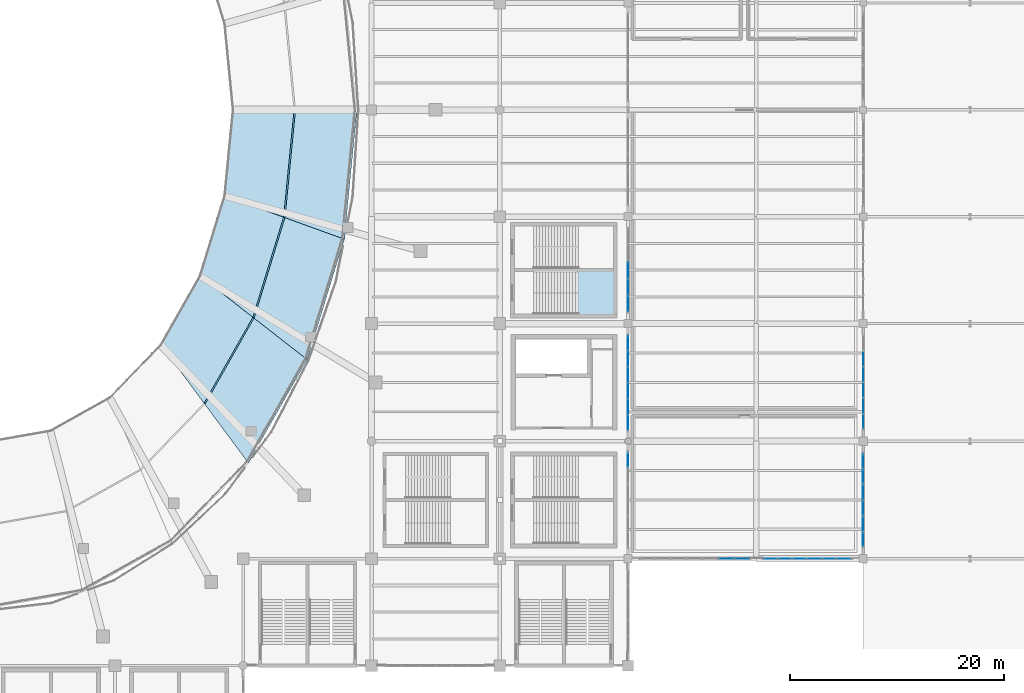
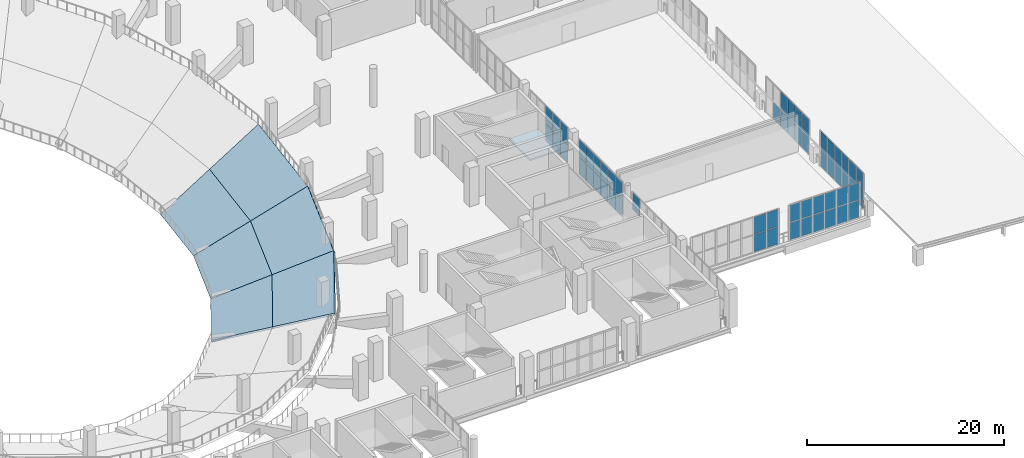
# One storey, part 101 of 136: 56 plates, 7 slabs, 8 elements without a shape of their own.
"""IFC4 building model written with IfcOpenShell, lengths in metres."""

from ifc_helpers import new_model, si_unit, direction, frame, origin, origin_2d, place, context, subcontext, project, spatial, polyline, rectangle, outline, extrude, material, layer, layer_set, type_object, element, aggregate, save


model = new_model("IFC4")

# Units and contexts
model_context = context("Model", 3, precision=1e-05, world=origin(), true_north=direction((0.0, 1.0)))
body_context = subcontext(model_context, "Body", "Model", "MODEL_VIEW")
ifc_project = project(units=[si_unit("LENGTHUNIT", "METRE"), si_unit("AREAUNIT", "SQUARE_METRE"), si_unit("VOLUMEUNIT", "CUBIC_METRE"), si_unit("PLANEANGLEUNIT", "RADIAN"), si_unit("MASSUNIT", "GRAM", prefix="KILO")], contexts=[model_context])

# Site, building, storey
site_placement = place(None, origin())
site = spatial("IfcSite", under=ifc_project, at=site_placement, CompositionType="ELEMENT")
building_placement = place(site_placement, origin())
building = spatial("IfcBuilding", under=site, at=building_placement, Name="Brinegate Civic Arena", CompositionType="ELEMENT")
storey_placement = place(building_placement, frame((0.0, 0.0, 5.39990234375)))
storey = spatial("IfcBuildingStorey", under=building, at=storey_placement, Name="L01", CompositionType="ELEMENT", Elevation=5.39990234375)

# Curtain wall, plates
ifc_material_1 = material(Name="Marine grade aluminium", Category="aluminium")
ifc_layer_1 = layer(ifc_material_1, 0.18505859375, Name="Marine grade aluminium")
ifc_layer_set_1 = layer_set([ifc_layer_1], Name="Marine grade aluminium")
curtain_wall_type_1 = type_object("IfcCurtainWallType", Name="CW-WING-GLAZED-03", PredefinedType="USERDEFINED", material=ifc_layer_set_1)
curtain_wall_1_placement = place(storey_placement, origin())
curtain_wall_1 = element("IfcCurtainWall", 1, at=curtain_wall_1_placement, inside=storey, type_object=curtain_wall_type_1, Name="Curtain Wall CWA-034", ObjectType="GLAZED CURTAIN WALL", PredefinedType="USERDEFINED")
ifc_material_2 = material(Name="Hurricane laminated low-E glass", Category="glass")
ifc_layer_2 = layer(ifc_material_2, 0.028076171875, Name="Hurricane laminated low-E glass")
ifc_layer_set_2 = layer_set([ifc_layer_2], Name="Hurricane laminated low-E glass")
plate_type_1 = type_object("IfcPlateType", Name="CW-PANEL-GLAZED-28", PredefinedType="CURTAIN_PANEL", material=ifc_layer_set_2)
plate_1_placement = place(storey_placement, frame((190.0, 32.865966796875, 0.06494140625), z_axis=(0.0, 0.0, 1.0), x_axis=(0.0, 1.0, 0.0)))
plate_1 = element("IfcPlate", 2, at=plate_1_placement, type_object=plate_type_1, Name="CWA-034 panel 1.1", PredefinedType="CURTAIN_PANEL", context=body_context, shape_type="SweptSolid", body=[
    extrude(rectangle(XDim=1.369873046875, YDim=0.028076171875, at=origin_2d()), origin(), (0.0, 0.0, 1.0), 2.137451171875),
])
plate_2_placement = place(storey_placement, frame((190.0, 32.865966796875, 2.267578125), z_axis=(0.0, 0.0, 1.0), x_axis=(0.0, 1.0, 0.0)))
plate_2 = element("IfcPlate", 3, at=plate_2_placement, type_object=plate_type_1, Name="CWA-034 panel 1.2", PredefinedType="CURTAIN_PANEL", context=body_context, shape_type="SweptSolid", body=[
    extrude(rectangle(XDim=1.369873046875, YDim=0.028076171875, at=origin_2d()), origin(), (0.0, 0.0, 1.0), 2.137451171875),
])
plate_3_placement = place(storey_placement, frame((190.0, 34.31689453125, 0.06494140625), z_axis=(0.0, 0.0, 1.0), x_axis=(0.0, 1.0, 0.0)))
plate_3 = element("IfcPlate", 4, at=plate_3_placement, type_object=plate_type_1, Name="CWA-034 panel 2.1", PredefinedType="CURTAIN_PANEL", context=body_context, shape_type="SweptSolid", body=[
    extrude(rectangle(XDim=1.40234375, YDim=0.028076171875, at=origin_2d()), origin(), (0.0, 0.0, 1.0), 2.137451171875),
])
plate_4_placement = place(storey_placement, frame((190.0, 34.31689453125, 2.267578125), z_axis=(0.0, 0.0, 1.0), x_axis=(0.0, 1.0, 0.0)))
plate_4 = element("IfcPlate", 5, at=plate_4_placement, type_object=plate_type_1, Name="CWA-034 panel 2.2", PredefinedType="CURTAIN_PANEL", context=body_context, shape_type="SweptSolid", body=[
    extrude(rectangle(XDim=1.40234375, YDim=0.028076171875, at=origin_2d()), origin(), (0.0, 0.0, 1.0), 2.137451171875),
])
plate_5_placement = place(storey_placement, frame((190.0, 35.784423828125, 0.06494140625), z_axis=(0.0, 0.0, 1.0), x_axis=(0.0, 1.0, 0.0)))
plate_5 = element("IfcPlate", 6, at=plate_5_placement, type_object=plate_type_1, Name="CWA-034 panel 3.1", PredefinedType="CURTAIN_PANEL", context=body_context, shape_type="SweptSolid", body=[
    extrude(rectangle(XDim=1.40234375, YDim=0.028076171875, at=origin_2d()), origin(), (0.0, 0.0, 1.0), 2.137451171875),
])
plate_6_placement = place(storey_placement, frame((190.0, 35.784423828125, 2.267578125), z_axis=(0.0, 0.0, 1.0), x_axis=(0.0, 1.0, 0.0)))
plate_6 = element("IfcPlate", 7, at=plate_6_placement, type_object=plate_type_1, Name="CWA-034 panel 3.2", PredefinedType="CURTAIN_PANEL", context=body_context, shape_type="SweptSolid", body=[
    extrude(rectangle(XDim=1.40234375, YDim=0.028076171875, at=origin_2d()), origin(), (0.0, 0.0, 1.0), 2.137451171875),
])
plate_7_placement = place(storey_placement, frame((190.0, 37.251708984375, 0.06494140625), z_axis=(0.0, 0.0, 1.0), x_axis=(0.0, 1.0, 0.0)))
plate_7 = element("IfcPlate", 8, at=plate_7_placement, type_object=plate_type_1, Name="CWA-034 panel 4.1", PredefinedType="CURTAIN_PANEL", context=body_context, shape_type="SweptSolid", body=[
    extrude(rectangle(XDim=1.40234375, YDim=0.028076171875, at=origin_2d()), origin(), (0.0, 0.0, 1.0), 2.137451171875),
])
plate_8_placement = place(storey_placement, frame((190.0, 37.251708984375, 2.267578125), z_axis=(0.0, 0.0, 1.0), x_axis=(0.0, 1.0, 0.0)))
plate_8 = element("IfcPlate", 9, at=plate_8_placement, type_object=plate_type_1, Name="CWA-034 panel 4.2", PredefinedType="CURTAIN_PANEL", context=body_context, shape_type="SweptSolid", body=[
    extrude(rectangle(XDim=1.40234375, YDim=0.028076171875, at=origin_2d()), origin(), (0.0, 0.0, 1.0), 2.137451171875),
])
plate_9_placement = place(storey_placement, frame((190.0, 38.718994140625, 0.06494140625), z_axis=(0.0, 0.0, 1.0), x_axis=(0.0, 1.0, 0.0)))
plate_9 = element("IfcPlate", 10, at=plate_9_placement, type_object=plate_type_1, Name="CWA-034 panel 5.1", PredefinedType="CURTAIN_PANEL", context=body_context, shape_type="SweptSolid", body=[
    extrude(rectangle(XDim=1.40234375, YDim=0.028076171875, at=origin_2d()), origin(), (0.0, 0.0, 1.0), 2.137451171875),
])
aggregate(curtain_wall_1, [plate_1, plate_2, plate_3, plate_4, plate_5, plate_6, plate_7, plate_8, plate_9])

curtain_wall_2_placement = place(storey_placement, origin())
curtain_wall_2 = element("IfcCurtainWall", 11, at=curtain_wall_2_placement, inside=storey, type_object=curtain_wall_type_1, Name="Curtain Wall CWA-039", ObjectType="GLAZED CURTAIN WALL", PredefinedType="USERDEFINED")
ifc_layer_3 = layer(ifc_material_2, 0.031982421875, Name="Hurricane laminated low-E glass")
ifc_layer_set_3 = layer_set([ifc_layer_3], Name="Hurricane laminated low-E glass")
plate_type_2 = type_object("IfcPlateType", Name="CW-PANEL-GLAZED-32", PredefinedType="CURTAIN_PANEL", material=ifc_layer_set_3)
plate_10_placement = place(storey_placement, frame((177.1884765625, 20.0, 0.06494140625), z_axis=(0.0, 0.0, 1.0), x_axis=(1.0, 0.0, 0.0)))
plate_10 = element("IfcPlate", 12, at=plate_10_placement, type_object=plate_type_2, Name="CWA-039 panel 6.1", PredefinedType="CURTAIN_PANEL", context=body_context, shape_type="SweptSolid", body=[
    extrude(rectangle(XDim=1.4091796875, YDim=0.031982421875, at=origin_2d()), origin(), (0.0, 0.0, 1.0), 2.137451171875),
])
plate_11_placement = place(storey_placement, frame((177.1884765625, 20.0, 2.267578125), z_axis=(0.0, 0.0, 1.0), x_axis=(1.0, 0.0, 0.0)))
plate_11 = element("IfcPlate", 13, at=plate_11_placement, type_object=plate_type_2, Name="CWA-039 panel 6.2", PredefinedType="CURTAIN_PANEL", context=body_context, shape_type="SweptSolid", body=[
    extrude(rectangle(XDim=1.4091796875, YDim=0.031982421875, at=origin_2d()), origin(), (0.0, 0.0, 1.0), 2.137451171875),
])
plate_12_placement = place(storey_placement, frame((178.646728515625, 20.0, 0.06494140625), z_axis=(0.0, 0.0, 1.0), x_axis=(1.0, 0.0, 0.0)))
plate_12 = element("IfcPlate", 14, at=plate_12_placement, type_object=plate_type_2, Name="CWA-039 panel 7.1", PredefinedType="CURTAIN_PANEL", context=body_context, shape_type="SweptSolid", body=[
    extrude(rectangle(XDim=1.376708984375, YDim=0.031982421875, at=origin_2d()), origin(), (0.0, 0.0, 1.0), 2.137451171875),
])
plate_13_placement = place(storey_placement, frame((178.646728515625, 20.0, 2.267578125), z_axis=(0.0, 0.0, 1.0), x_axis=(1.0, 0.0, 0.0)))
plate_13 = element("IfcPlate", 15, at=plate_13_placement, type_object=plate_type_2, Name="CWA-039 panel 7.2", PredefinedType="CURTAIN_PANEL", context=body_context, shape_type="SweptSolid", body=[
    extrude(rectangle(XDim=1.376708984375, YDim=0.031982421875, at=origin_2d()), origin(), (0.0, 0.0, 1.0), 2.137451171875),
])
aggregate(curtain_wall_2, [plate_10, plate_11, plate_12, plate_13])

ifc_layer_4 = layer(ifc_material_1, 0.199951171875, Name="Marine grade aluminium")
ifc_layer_set_4 = layer_set([ifc_layer_4], Name="Marine grade aluminium")
curtain_wall_type_2 = type_object("IfcCurtainWallType", Name="CW-BOWL-GLAZED-01", PredefinedType="USERDEFINED", material=ifc_layer_set_4)
curtain_wall_3_placement = place(storey_placement, origin())
curtain_wall_3 = element("IfcCurtainWall", 16, at=curtain_wall_3_placement, inside=storey, type_object=curtain_wall_type_2, Name="Curtain Wall CWA-047", ObjectType="GLAZED CURTAIN WALL", PredefinedType="USERDEFINED")
plate_14_placement = place(storey_placement, frame((168.0, 32.7421875, 0.074951171875), z_axis=(0.0, 0.0, 1.0), x_axis=(0.0, 1.0, 0.0)))
plate_14 = element("IfcPlate", 17, at=plate_14_placement, type_object=plate_type_2, Name="CWA-047 panel 1.1", PredefinedType="CURTAIN_PANEL", context=body_context, shape_type="SweptSolid", body=[
    extrude(rectangle(XDim=1.392333984375, YDim=0.031982421875, at=origin_2d()), origin(), (0.0, 0.0, 1.0), 2.12255859375),
])
plate_15_placement = place(storey_placement, frame((168.0, 32.7421875, 2.2724609375), z_axis=(0.0, 0.0, 1.0), x_axis=(0.0, 1.0, 0.0)))
plate_15 = element("IfcPlate", 18, at=plate_15_placement, type_object=plate_type_2, Name="CWA-047 panel 1.2", PredefinedType="CURTAIN_PANEL", context=body_context, shape_type="SweptSolid", body=[
    extrude(rectangle(XDim=1.392333984375, YDim=0.031982421875, at=origin_2d()), origin(), (0.0, 0.0, 1.0), 2.12255859375),
])
plate_16_placement = place(storey_placement, frame((168.0, 34.2158203125, 0.074951171875), z_axis=(0.0, 0.0, 1.0), x_axis=(0.0, 1.0, 0.0)))
plate_16 = element("IfcPlate", 19, at=plate_16_placement, type_object=plate_type_2, Name="CWA-047 panel 2.1", PredefinedType="CURTAIN_PANEL", context=body_context, shape_type="SweptSolid", body=[
    extrude(rectangle(XDim=1.4248046875, YDim=0.031982421875, at=origin_2d()), origin(), (0.0, 0.0, 1.0), 2.12255859375),
])
plate_17_placement = place(storey_placement, frame((168.0, 34.2158203125, 2.2724609375), z_axis=(0.0, 0.0, 1.0), x_axis=(0.0, 1.0, 0.0)))
plate_17 = element("IfcPlate", 20, at=plate_17_placement, type_object=plate_type_2, Name="CWA-047 panel 2.2", PredefinedType="CURTAIN_PANEL", context=body_context, shape_type="SweptSolid", body=[
    extrude(rectangle(XDim=1.4248046875, YDim=0.031982421875, at=origin_2d()), origin(), (0.0, 0.0, 1.0), 2.12255859375),
])
plate_18_placement = place(storey_placement, frame((168.0, 35.70556640625, 0.074951171875), z_axis=(0.0, 0.0, 1.0), x_axis=(0.0, 1.0, 0.0)))
plate_18 = element("IfcPlate", 21, at=plate_18_placement, type_object=plate_type_2, Name="CWA-047 panel 3.1", PredefinedType="CURTAIN_PANEL", context=body_context, shape_type="SweptSolid", body=[
    extrude(rectangle(XDim=1.4248046875, YDim=0.031982421875, at=origin_2d()), origin(), (0.0, 0.0, 1.0), 2.12255859375),
])
plate_19_placement = place(storey_placement, frame((168.0, 35.70556640625, 2.2724609375), z_axis=(0.0, 0.0, 1.0), x_axis=(0.0, 1.0, 0.0)))
plate_19 = element("IfcPlate", 22, at=plate_19_placement, type_object=plate_type_2, Name="CWA-047 panel 3.2", PredefinedType="CURTAIN_PANEL", context=body_context, shape_type="SweptSolid", body=[
    extrude(rectangle(XDim=1.4248046875, YDim=0.031982421875, at=origin_2d()), origin(), (0.0, 0.0, 1.0), 2.12255859375),
])
plate_20_placement = place(storey_placement, frame((168.0, 37.1953125, 0.074951171875), z_axis=(0.0, 0.0, 1.0), x_axis=(0.0, 1.0, 0.0)))
plate_20 = element("IfcPlate", 23, at=plate_20_placement, type_object=plate_type_2, Name="CWA-047 panel 4.1", PredefinedType="CURTAIN_PANEL", context=body_context, shape_type="SweptSolid", body=[
    extrude(rectangle(XDim=1.4248046875, YDim=0.031982421875, at=origin_2d()), origin(), (0.0, 0.0, 1.0), 2.12255859375),
])
plate_21_placement = place(storey_placement, frame((168.0, 37.1953125, 2.2724609375), z_axis=(0.0, 0.0, 1.0), x_axis=(0.0, 1.0, 0.0)))
plate_21 = element("IfcPlate", 24, at=plate_21_placement, type_object=plate_type_2, Name="CWA-047 panel 4.2", PredefinedType="CURTAIN_PANEL", context=body_context, shape_type="SweptSolid", body=[
    extrude(rectangle(XDim=1.4248046875, YDim=0.031982421875, at=origin_2d()), origin(), (0.0, 0.0, 1.0), 2.12255859375),
])
plate_22_placement = place(storey_placement, frame((168.0, 38.685302734375, 0.074951171875), z_axis=(0.0, 0.0, 1.0), x_axis=(0.0, 1.0, 0.0)))
plate_22 = element("IfcPlate", 25, at=plate_22_placement, type_object=plate_type_2, Name="CWA-047 panel 5.1", PredefinedType="CURTAIN_PANEL", context=body_context, shape_type="SweptSolid", body=[
    extrude(rectangle(XDim=1.4248046875, YDim=0.031982421875, at=origin_2d()), origin(), (0.0, 0.0, 1.0), 2.12255859375),
])
plate_23_placement = place(storey_placement, frame((168.0, 38.685302734375, 2.2724609375), z_axis=(0.0, 0.0, 1.0), x_axis=(0.0, 1.0, 0.0)))
plate_23 = element("IfcPlate", 26, at=plate_23_placement, type_object=plate_type_2, Name="CWA-047 panel 5.2", PredefinedType="CURTAIN_PANEL", context=body_context, shape_type="SweptSolid", body=[
    extrude(rectangle(XDim=1.4248046875, YDim=0.031982421875, at=origin_2d()), origin(), (0.0, 0.0, 1.0), 2.12255859375),
])
plate_24_placement = place(storey_placement, frame((168.0, 40.158935546875, 0.074951171875), z_axis=(0.0, 0.0, 1.0), x_axis=(0.0, 1.0, 0.0)))
plate_24 = element("IfcPlate", 27, at=plate_24_placement, type_object=plate_type_2, Name="CWA-047 panel 6.1", PredefinedType="CURTAIN_PANEL", context=body_context, shape_type="SweptSolid", body=[
    extrude(rectangle(XDim=1.392333984375, YDim=0.031982421875, at=origin_2d()), origin(), (0.0, 0.0, 1.0), 2.12255859375),
])
plate_25_placement = place(storey_placement, frame((168.0, 40.158935546875, 2.2724609375), z_axis=(0.0, 0.0, 1.0), x_axis=(0.0, 1.0, 0.0)))
plate_25 = element("IfcPlate", 28, at=plate_25_placement, type_object=plate_type_2, Name="CWA-047 panel 6.2", PredefinedType="CURTAIN_PANEL", context=body_context, shape_type="SweptSolid", body=[
    extrude(rectangle(XDim=1.392333984375, YDim=0.031982421875, at=origin_2d()), origin(), (0.0, 0.0, 1.0), 2.12255859375),
])
aggregate(curtain_wall_3, [plate_14, plate_15, plate_16, plate_17, plate_18, plate_19, plate_20, plate_21, plate_22, plate_23, plate_24, plate_25])

curtain_wall_4_placement = place(storey_placement, origin())
curtain_wall_4 = element("IfcCurtainWall", 29, at=curtain_wall_4_placement, inside=storey, type_object=curtain_wall_type_1, Name="Curtain Wall CWA-033", ObjectType="GLAZED CURTAIN WALL", PredefinedType="USERDEFINED")
ifc_layer_5 = layer(ifc_material_2, 0.0419921875, Name="Hurricane laminated low-E glass")
ifc_layer_set_5 = layer_set([ifc_layer_5], Name="Hurricane laminated low-E glass")
plate_type_3 = type_object("IfcPlateType", Name="CW-PANEL-SPANDREL-42", PredefinedType="CURTAIN_PANEL", material=ifc_layer_set_5)
plate_26_placement = place(storey_placement, frame((190.0, 21.833740234375, 0.06494140625), z_axis=(0.0, 0.0, 1.0), x_axis=(0.0, 1.0, 0.0)))
plate_26 = element("IfcPlate", 30, at=plate_26_placement, type_object=plate_type_3, Name="CWA-033 panel 1.1", PredefinedType="CURTAIN_PANEL", context=body_context, shape_type="SweptSolid", body=[
    extrude(rectangle(XDim=1.347412109375, YDim=0.0419921875, at=origin_2d()), origin(), (0.0, 0.0, 1.0), 2.137451171875),
])
plate_27_placement = place(storey_placement, frame((190.0, 21.833740234375, 2.267578125), z_axis=(0.0, 0.0, 1.0), x_axis=(0.0, 1.0, 0.0)))
plate_27 = element("IfcPlate", 31, at=plate_27_placement, type_object=plate_type_3, Name="CWA-033 panel 1.2", PredefinedType="CURTAIN_PANEL", context=body_context, shape_type="SweptSolid", body=[
    extrude(rectangle(XDim=1.347412109375, YDim=0.0419921875, at=origin_2d()), origin(), (0.0, 0.0, 1.0), 2.137451171875),
])
plate_28_placement = place(storey_placement, frame((190.0, 23.281005859375, 0.06494140625), z_axis=(0.0, 0.0, 1.0), x_axis=(0.0, 1.0, 0.0)))
plate_28 = element("IfcPlate", 32, at=plate_28_placement, type_object=plate_type_3, Name="CWA-033 panel 2.1", PredefinedType="CURTAIN_PANEL", context=body_context, shape_type="SweptSolid", body=[
    extrude(rectangle(XDim=1.387451171875, YDim=0.0419921875, at=origin_2d()), origin(), (0.0, 0.0, 1.0), 2.137451171875),
])
plate_29_placement = place(storey_placement, frame((190.0, 23.281005859375, 2.267578125), z_axis=(0.0, 0.0, 1.0), x_axis=(0.0, 1.0, 0.0)))
plate_29 = element("IfcPlate", 33, at=plate_29_placement, type_object=plate_type_3, Name="CWA-033 panel 2.2", PredefinedType="CURTAIN_PANEL", context=body_context, shape_type="SweptSolid", body=[
    extrude(rectangle(XDim=1.387451171875, YDim=0.0419921875, at=origin_2d()), origin(), (0.0, 0.0, 1.0), 2.137451171875),
])
plate_30_placement = place(storey_placement, frame((190.0, 24.748291015625, 0.06494140625), z_axis=(0.0, 0.0, 1.0), x_axis=(0.0, 1.0, 0.0)))
plate_30 = element("IfcPlate", 34, at=plate_30_placement, type_object=plate_type_3, Name="CWA-033 panel 3.1", PredefinedType="CURTAIN_PANEL", context=body_context, shape_type="SweptSolid", body=[
    extrude(rectangle(XDim=1.387451171875, YDim=0.0419921875, at=origin_2d()), origin(), (0.0, 0.0, 1.0), 2.137451171875),
])
plate_31_placement = place(storey_placement, frame((190.0, 24.748291015625, 2.267578125), z_axis=(0.0, 0.0, 1.0), x_axis=(0.0, 1.0, 0.0)))
plate_31 = element("IfcPlate", 35, at=plate_31_placement, type_object=plate_type_3, Name="CWA-033 panel 3.2", PredefinedType="CURTAIN_PANEL", context=body_context, shape_type="SweptSolid", body=[
    extrude(rectangle(XDim=1.387451171875, YDim=0.0419921875, at=origin_2d()), origin(), (0.0, 0.0, 1.0), 2.137451171875),
])
plate_32_placement = place(storey_placement, frame((190.0, 26.215576171875, 0.06494140625), z_axis=(0.0, 0.0, 1.0), x_axis=(0.0, 1.0, 0.0)))
plate_32 = element("IfcPlate", 36, at=plate_32_placement, type_object=plate_type_3, Name="CWA-033 panel 4.1", PredefinedType="CURTAIN_PANEL", context=body_context, shape_type="SweptSolid", body=[
    extrude(rectangle(XDim=1.387451171875, YDim=0.0419921875, at=origin_2d()), origin(), (0.0, 0.0, 1.0), 2.137451171875),
])
plate_33_placement = place(storey_placement, frame((190.0, 26.215576171875, 2.267578125), z_axis=(0.0, 0.0, 1.0), x_axis=(0.0, 1.0, 0.0)))
plate_33 = element("IfcPlate", 37, at=plate_33_placement, type_object=plate_type_3, Name="CWA-033 panel 4.2", PredefinedType="CURTAIN_PANEL", context=body_context, shape_type="SweptSolid", body=[
    extrude(rectangle(XDim=1.387451171875, YDim=0.0419921875, at=origin_2d()), origin(), (0.0, 0.0, 1.0), 2.137451171875),
])
plate_34_placement = place(storey_placement, frame((190.0, 27.68310546875, 0.06494140625), z_axis=(0.0, 0.0, 1.0), x_axis=(0.0, 1.0, 0.0)))
plate_34 = element("IfcPlate", 38, at=plate_34_placement, type_object=plate_type_3, Name="CWA-033 panel 5.1", PredefinedType="CURTAIN_PANEL", context=body_context, shape_type="SweptSolid", body=[
    extrude(rectangle(XDim=1.387451171875, YDim=0.0419921875, at=origin_2d()), origin(), (0.0, 0.0, 1.0), 2.137451171875),
])
plate_35_placement = place(storey_placement, frame((190.0, 27.68310546875, 2.267578125), z_axis=(0.0, 0.0, 1.0), x_axis=(0.0, 1.0, 0.0)))
plate_35 = element("IfcPlate", 39, at=plate_35_placement, type_object=plate_type_3, Name="CWA-033 panel 5.2", PredefinedType="CURTAIN_PANEL", context=body_context, shape_type="SweptSolid", body=[
    extrude(rectangle(XDim=1.387451171875, YDim=0.0419921875, at=origin_2d()), origin(), (0.0, 0.0, 1.0), 2.137451171875),
])
plate_36_placement = place(storey_placement, frame((190.0, 29.13037109375, 0.06494140625), z_axis=(0.0, 0.0, 1.0), x_axis=(0.0, 1.0, 0.0)))
plate_36 = element("IfcPlate", 40, at=plate_36_placement, type_object=plate_type_3, Name="CWA-033 panel 6.1", PredefinedType="CURTAIN_PANEL", context=body_context, shape_type="SweptSolid", body=[
    extrude(rectangle(XDim=1.347412109375, YDim=0.0419921875, at=origin_2d()), origin(), (0.0, 0.0, 1.0), 2.137451171875),
])
plate_37_placement = place(storey_placement, frame((190.0, 29.13037109375, 2.267578125), z_axis=(0.0, 0.0, 1.0), x_axis=(0.0, 1.0, 0.0)))
plate_37 = element("IfcPlate", 41, at=plate_37_placement, type_object=plate_type_3, Name="CWA-033 panel 6.2", PredefinedType="CURTAIN_PANEL", context=body_context, shape_type="SweptSolid", body=[
    extrude(rectangle(XDim=1.347412109375, YDim=0.0419921875, at=origin_2d()), origin(), (0.0, 0.0, 1.0), 2.137451171875),
])
aggregate(curtain_wall_4, [plate_26, plate_27, plate_28, plate_29, plate_30, plate_31, plate_32, plate_33, plate_34, plate_35, plate_36, plate_37])

curtain_wall_5_placement = place(storey_placement, origin())
curtain_wall_5 = element("IfcCurtainWall", 42, at=curtain_wall_5_placement, inside=storey, type_object=curtain_wall_type_1, Name="Curtain Wall CWA-041", ObjectType="GLAZED CURTAIN WALL", PredefinedType="USERDEFINED")
plate_38_placement = place(storey_placement, frame((181.313232421875, 20.0, 0.074951171875), z_axis=(0.0, 0.0, 1.0), x_axis=(1.0, 0.0, 0.0)))
plate_38 = element("IfcPlate", 43, at=plate_38_placement, type_object=plate_type_3, Name="CWA-041 panel 1.1", PredefinedType="CURTAIN_PANEL", context=body_context, shape_type="SweptSolid", body=[
    extrude(rectangle(XDim=1.2666015625, YDim=0.0419921875, at=origin_2d()), origin(), (0.0, 0.0, 1.0), 2.12255859375),
])
plate_39_placement = place(storey_placement, frame((181.313232421875, 20.0, 2.2724609375), z_axis=(0.0, 0.0, 1.0), x_axis=(1.0, 0.0, 0.0)))
plate_39 = element("IfcPlate", 44, at=plate_39_placement, type_object=plate_type_3, Name="CWA-041 panel 1.2", PredefinedType="CURTAIN_PANEL", context=body_context, shape_type="SweptSolid", body=[
    extrude(rectangle(XDim=1.2666015625, YDim=0.0419921875, at=origin_2d()), origin(), (0.0, 0.0, 1.0), 2.12255859375),
])
plate_40_placement = place(storey_placement, frame((182.679931640625, 20.0, 0.074951171875), z_axis=(0.0, 0.0, 1.0), x_axis=(1.0, 0.0, 0.0)))
plate_40 = element("IfcPlate", 45, at=plate_40_placement, type_object=plate_type_3, Name="CWA-041 panel 2.1", PredefinedType="CURTAIN_PANEL", context=body_context, shape_type="SweptSolid", body=[
    extrude(rectangle(XDim=1.306640625, YDim=0.0419921875, at=origin_2d()), origin(), (0.0, 0.0, 1.0), 2.12255859375),
])
plate_41_placement = place(storey_placement, frame((182.679931640625, 20.0, 2.2724609375), z_axis=(0.0, 0.0, 1.0), x_axis=(1.0, 0.0, 0.0)))
plate_41 = element("IfcPlate", 46, at=plate_41_placement, type_object=plate_type_3, Name="CWA-041 panel 2.2", PredefinedType="CURTAIN_PANEL", context=body_context, shape_type="SweptSolid", body=[
    extrude(rectangle(XDim=1.306640625, YDim=0.0419921875, at=origin_2d()), origin(), (0.0, 0.0, 1.0), 2.12255859375),
])
plate_42_placement = place(storey_placement, frame((184.066650390625, 20.0, 0.074951171875), z_axis=(0.0, 0.0, 1.0), x_axis=(1.0, 0.0, 0.0)))
plate_42 = element("IfcPlate", 47, at=plate_42_placement, type_object=plate_type_3, Name="CWA-041 panel 3.1", PredefinedType="CURTAIN_PANEL", context=body_context, shape_type="SweptSolid", body=[
    extrude(rectangle(XDim=1.306640625, YDim=0.0419921875, at=origin_2d()), origin(), (0.0, 0.0, 1.0), 2.12255859375),
])
plate_43_placement = place(storey_placement, frame((184.066650390625, 20.0, 2.2724609375), z_axis=(0.0, 0.0, 1.0), x_axis=(1.0, 0.0, 0.0)))
plate_43 = element("IfcPlate", 48, at=plate_43_placement, type_object=plate_type_3, Name="CWA-041 panel 3.2", PredefinedType="CURTAIN_PANEL", context=body_context, shape_type="SweptSolid", body=[
    extrude(rectangle(XDim=1.306640625, YDim=0.0419921875, at=origin_2d()), origin(), (0.0, 0.0, 1.0), 2.12255859375),
])
plate_44_placement = place(storey_placement, frame((185.453369140625, 20.0, 0.074951171875), z_axis=(0.0, 0.0, 1.0), x_axis=(1.0, 0.0, 0.0)))
plate_44 = element("IfcPlate", 49, at=plate_44_placement, type_object=plate_type_3, Name="CWA-041 panel 4.1", PredefinedType="CURTAIN_PANEL", context=body_context, shape_type="SweptSolid", body=[
    extrude(rectangle(XDim=1.306640625, YDim=0.0419921875, at=origin_2d()), origin(), (0.0, 0.0, 1.0), 2.12255859375),
])
plate_45_placement = place(storey_placement, frame((185.453369140625, 20.0, 2.2724609375), z_axis=(0.0, 0.0, 1.0), x_axis=(1.0, 0.0, 0.0)))
plate_45 = element("IfcPlate", 50, at=plate_45_placement, type_object=plate_type_3, Name="CWA-041 panel 4.2", PredefinedType="CURTAIN_PANEL", context=body_context, shape_type="SweptSolid", body=[
    extrude(rectangle(XDim=1.306640625, YDim=0.0419921875, at=origin_2d()), origin(), (0.0, 0.0, 1.0), 2.12255859375),
])
plate_46_placement = place(storey_placement, frame((186.840087890625, 20.0, 0.074951171875), z_axis=(0.0, 0.0, 1.0), x_axis=(1.0, 0.0, 0.0)))
plate_46 = element("IfcPlate", 51, at=plate_46_placement, type_object=plate_type_3, Name="CWA-041 panel 5.1", PredefinedType="CURTAIN_PANEL", context=body_context, shape_type="SweptSolid", body=[
    extrude(rectangle(XDim=1.306640625, YDim=0.0419921875, at=origin_2d()), origin(), (0.0, 0.0, 1.0), 2.12255859375),
])
plate_47_placement = place(storey_placement, frame((186.840087890625, 20.0, 2.2724609375), z_axis=(0.0, 0.0, 1.0), x_axis=(1.0, 0.0, 0.0)))
plate_47 = element("IfcPlate", 52, at=plate_47_placement, type_object=plate_type_3, Name="CWA-041 panel 5.2", PredefinedType="CURTAIN_PANEL", context=body_context, shape_type="SweptSolid", body=[
    extrude(rectangle(XDim=1.306640625, YDim=0.0419921875, at=origin_2d()), origin(), (0.0, 0.0, 1.0), 2.12255859375),
])
plate_48_placement = place(storey_placement, frame((188.206787109375, 20.0, 0.074951171875), z_axis=(0.0, 0.0, 1.0), x_axis=(1.0, 0.0, 0.0)))
plate_48 = element("IfcPlate", 53, at=plate_48_placement, type_object=plate_type_3, Name="CWA-041 panel 6.1", PredefinedType="CURTAIN_PANEL", context=body_context, shape_type="SweptSolid", body=[
    extrude(rectangle(XDim=1.2666015625, YDim=0.0419921875, at=origin_2d()), origin(), (0.0, 0.0, 1.0), 2.12255859375),
])
plate_49_placement = place(storey_placement, frame((188.206787109375, 20.0, 2.2724609375), z_axis=(0.0, 0.0, 1.0), x_axis=(1.0, 0.0, 0.0)))
plate_49 = element("IfcPlate", 54, at=plate_49_placement, type_object=plate_type_3, Name="CWA-041 panel 6.2", PredefinedType="CURTAIN_PANEL", context=body_context, shape_type="SweptSolid", body=[
    extrude(rectangle(XDim=1.2666015625, YDim=0.0419921875, at=origin_2d()), origin(), (0.0, 0.0, 1.0), 2.12255859375),
])
aggregate(curtain_wall_5, [plate_38, plate_39, plate_40, plate_41, plate_42, plate_43, plate_44, plate_45, plate_46, plate_47, plate_48, plate_49])

# Curtain wall, plate
curtain_wall_6_placement = place(storey_placement, origin())
curtain_wall_6 = element("IfcCurtainWall", 55, at=curtain_wall_6_placement, inside=storey, type_object=curtain_wall_type_2, Name="Curtain Wall CWA-045", ObjectType="GLAZED CURTAIN WALL", PredefinedType="USERDEFINED")
plate_50_placement = place(storey_placement, frame((168.0, 29.254150390625, 2.267578125), z_axis=(0.0, 0.0, 1.0), x_axis=(0.0, 1.0, 0.0)))
plate_50 = element("IfcPlate", 56, at=plate_50_placement, type_object=plate_type_3, Name="CWA-045 panel 6.2", PredefinedType="CURTAIN_PANEL", context=body_context, shape_type="SweptSolid", body=[
    extrude(rectangle(XDim=1.369873046875, YDim=0.0419921875, at=origin_2d()), origin(), (0.0, 0.0, 1.0), 2.137451171875),
])
aggregate(curtain_wall_6, [plate_50])

# Curtain wall, plates
curtain_wall_7_placement = place(storey_placement, origin())
curtain_wall_7 = element("IfcCurtainWall", 57, at=curtain_wall_7_placement, inside=storey, type_object=curtain_wall_type_2, Name="Curtain Wall CWA-049", ObjectType="GLAZED CURTAIN WALL", PredefinedType="USERDEFINED")
plate_51_placement = place(storey_placement, frame((168.0, 43.884033203125, 0.06494140625), z_axis=(0.0, 0.0, 1.0), x_axis=(0.0, 1.0, 0.0)))
plate_51 = element("IfcPlate", 58, at=plate_51_placement, type_object=plate_type_3, Name="CWA-049 panel 1.1", PredefinedType="CURTAIN_PANEL", context=body_context, shape_type="SweptSolid", body=[
    extrude(rectangle(XDim=1.447998046875, YDim=0.0419921875, at=origin_2d()), origin(), (0.0, 0.0, 1.0), 2.137451171875),
])
plate_52_placement = place(storey_placement, frame((168.0, 43.884033203125, 2.267578125), z_axis=(0.0, 0.0, 1.0), x_axis=(0.0, 1.0, 0.0)))
plate_52 = element("IfcPlate", 59, at=plate_52_placement, type_object=plate_type_3, Name="CWA-049 panel 1.2", PredefinedType="CURTAIN_PANEL", context=body_context, shape_type="SweptSolid", body=[
    extrude(rectangle(XDim=1.447998046875, YDim=0.0419921875, at=origin_2d()), origin(), (0.0, 0.0, 1.0), 2.137451171875),
])
plate_53_placement = place(storey_placement, frame((168.0, 45.431884765625, 0.06494140625), z_axis=(0.0, 0.0, 1.0), x_axis=(0.0, 1.0, 0.0)))
plate_53 = element("IfcPlate", 60, at=plate_53_placement, type_object=plate_type_3, Name="CWA-049 panel 2.1", PredefinedType="CURTAIN_PANEL", context=body_context, shape_type="SweptSolid", body=[
    extrude(rectangle(XDim=1.488037109375, YDim=0.0419921875, at=origin_2d()), origin(), (0.0, 0.0, 1.0), 2.137451171875),
])
plate_54_placement = place(storey_placement, frame((168.0, 45.431884765625, 2.267578125), z_axis=(0.0, 0.0, 1.0), x_axis=(0.0, 1.0, 0.0)))
plate_54 = element("IfcPlate", 61, at=plate_54_placement, type_object=plate_type_3, Name="CWA-049 panel 2.2", PredefinedType="CURTAIN_PANEL", context=body_context, shape_type="SweptSolid", body=[
    extrude(rectangle(XDim=1.488037109375, YDim=0.0419921875, at=origin_2d()), origin(), (0.0, 0.0, 1.0), 2.137451171875),
])
plate_55_placement = place(storey_placement, frame((168.0, 47.0, 0.06494140625), z_axis=(0.0, 0.0, 1.0), x_axis=(0.0, 1.0, 0.0)))
plate_55 = element("IfcPlate", 62, at=plate_55_placement, type_object=plate_type_3, Name="CWA-049 panel 3.1", PredefinedType="CURTAIN_PANEL", context=body_context, shape_type="SweptSolid", body=[
    extrude(rectangle(XDim=1.488037109375, YDim=0.0419921875, at=origin_2d()), origin(), (0.0, 0.0, 1.0), 2.137451171875),
])
plate_56_placement = place(storey_placement, frame((168.0, 47.0, 2.267578125), z_axis=(0.0, 0.0, 1.0), x_axis=(0.0, 1.0, 0.0)))
plate_56 = element("IfcPlate", 63, at=plate_56_placement, type_object=plate_type_3, Name="CWA-049 panel 3.2", PredefinedType="CURTAIN_PANEL", context=body_context, shape_type="SweptSolid", body=[
    extrude(rectangle(XDim=1.488037109375, YDim=0.0419921875, at=origin_2d()), origin(), (0.0, 0.0, 1.0), 2.137451171875),
])
aggregate(curtain_wall_7, [plate_51, plate_52, plate_53, plate_54, plate_55, plate_56])

# Stair, slab
ifc_material_3 = material(Name="Concrete C40/50", Category="concrete")
stair_type = type_object("IfcStairType", Name="STAIR-EXIT-3850", PredefinedType="HALF_TURN_STAIR", material=ifc_material_3)
stair_placement = place(storey_placement, origin())
stair = element("IfcStair", 64, at=stair_placement, inside=storey, type_object=stair_type, Name="Protected Exit Stair ST-10A (L01)", PredefinedType="HALF_TURN_STAIR")
ifc_layer_6 = layer(ifc_material_3, 0.199951171875, Name="Concrete C40/50")
ifc_layer_set_6 = layer_set([ifc_layer_6], Name="Concrete C40/50")
slab_type_1 = type_object("IfcSlabType", Name="SLAB-LANDING-200", PredefinedType="LANDING", material=ifc_layer_set_6)
slab_1_placement = place(storey_placement, frame((0.0, 0.0, 2.2001953125)))
slab_1 = element("IfcSlab", 65, at=slab_1_placement, type_object=slab_type_1, Name="ST-10A landing 1", PredefinedType="LANDING", context=body_context, shape_type="SweptSolid", body=[
    extrude(outline(polyline([(163.2900390625, 42.72509765625), (166.800048828125, 42.72509765625), (166.800048828125, 47.0048828125), (163.2900390625, 47.0048828125), (163.2900390625, 42.72509765625)])), origin(), (0.0, 0.0, 1.0), 0.199951171875),
])
aggregate(stair, [slab_1])

# Slabs
ifc_material_4 = material(Name="Precast concrete C45/55", Category="concrete")
ifc_layer_7 = layer(ifc_material_4, 0.260009765625, Name="Precast concrete C45/55")
ifc_layer_set_7 = layer_set([ifc_layer_7], Name="Precast concrete C45/55")
slab_type_2 = type_object("IfcSlabType", Name="SLAB-TIER-LWR-260", PredefinedType="USERDEFINED", material=ifc_layer_set_7)
slab_2_placement = place(storey_placement, frame((124.262939453125, 40.0439453125, -4.7998046875), z_axis=(-0.434070193559, 0.246725000014, 0.866435134001), x_axis=(0.49419393362, 0.869351686719, 2.7770693e-05)))
element("IfcSlab", 66, at=slab_2_placement, inside=storey, type_object=slab_type_2, Name="Stand Lower Tier Bay A22", ObjectType="SEATING TIER", PredefinedType="USERDEFINED", context=body_context, shape_type="SweptSolid", body=[
    extrude(outline(polyline([(0.0, 0.0), (7.397709054571206, -4.440892098500626e-16), (6.484358663296854, -7.209589498573793), (-2.7623106760740535, -7.210515265661114), (0.0, 0.0)])), origin(), (0.0, 0.0, -1.0), 0.260009765625),
])
slab_3_placement = place(storey_placement, frame((128.3291015625, 34.554931640625, -1.199951171875), z_axis=(-0.434094262865, 0.246728636775, 0.866422039622), x_axis=(0.494114728966, 0.86939670715, -1.4652594e-05)))
element("IfcSlab", 67, at=slab_3_placement, inside=storey, type_object=slab_type_2, Name="Stand Lower Tier Bay B22", ObjectType="SEATING TIER", PredefinedType="USERDEFINED", context=body_context, shape_type="SweptSolid", body=[
    extrude(outline(polyline([(0.0, 0.0), (9.246669387432098, 0.0), (8.333079719644438, -7.21035553888455), (-2.762304187248937, -7.209758590249156), (0.0, 0.0)])), origin(), (0.0, 0.0, -1.0), 0.260009765625),
])
slab_4_placement = place(storey_placement, frame((127.9189453125, 46.47509765625, -4.7998046875), z_axis=(-0.498029193277, 0.152782927776, 0.853594927131), x_axis=(0.293257170523, 0.956033593358, -1.754859e-05)))
element("IfcSlab", 68, at=slab_4_placement, inside=storey, type_object=slab_type_2, Name="Stand Lower Tier Bay A23", ObjectType="SEATING TIER", PredefinedType="USERDEFINED", context=body_context, shape_type="SweptSolid", body=[
    extrude(outline(polyline([(0.0, 0.0), (7.8333953109632946, -2.220446049250313e-16), (7.5413660576731765, -6.9105930023649185), (-2.2503999150211556, -6.909999271197158), (0.0, 0.0)])), origin(), (0.0, 0.0, -1.0), 0.260009765625),
])
slab_5_placement = place(storey_placement, frame((132.89794921875, 42.593994140625, -1.199951171875), z_axis=(-0.498021838249, 0.152788334306, 0.853598250658), x_axis=(0.293310301528, 0.956017294277, 7.785377e-06)))
element("IfcSlab", 69, at=slab_5_placement, inside=storey, type_object=slab_type_2, Name="Stand Lower Tier Bay B23", ObjectType="SEATING TIER", PredefinedType="USERDEFINED", context=body_context, shape_type="SweptSolid", body=[
    extrude(outline(polyline([(0.0, 0.0), (9.791765991612042, 0.0), (9.500155771404593, -6.910737878629218), (-2.2496944808054162, -6.9110598201522455), (0.0, 0.0)])), origin(), (0.0, 0.0, -1.0), 0.260009765625),
])
slab_6_placement = place(storey_placement, frame((130.216064453125, 53.964111328125, -4.7998046875), z_axis=(-0.529937750367, 0.051699324139, 0.846459190168), x_axis=(0.097094240795, 0.995275192297, -1.360058e-06)))
element("IfcSlab", 70, at=slab_6_placement, inside=storey, type_object=slab_type_2, Name="Stand Lower Tier Bay A24", ObjectType="SEATING TIER", PredefinedType="USERDEFINED", context=body_context, shape_type="SweptSolid", body=[
    extrude(outline(polyline([(0.0, 0.0), (8.074036269936794, 0.0), (8.632323258500797, -6.760899420357436), (-1.460288751859227, -6.760853016896017), (0.0, 0.0)])), origin(), (0.0, 0.0, -1.0), 0.260009765625),
])
slab_7_placement = place(storey_placement, frame((135.77001953125, 51.955078125, -1.199951171875), z_axis=(-0.529963142235, 0.051704149597, 0.846442997955), x_axis=(0.097099352791, 0.995274693583, -8.90235e-07)))
element("IfcSlab", 71, at=slab_7_placement, inside=storey, type_object=slab_type_2, Name="Stand Lower Tier Bay B24", ObjectType="SEATING TIER", PredefinedType="USERDEFINED", context=body_context, shape_type="SweptSolid", body=[
    extrude(outline(polyline([(0.0, 0.0), (10.092612010469455, 2.220446049250313e-16), (10.650930084084084, -6.761026849754357), (-1.4602576670557452, -6.760989727940588), (0.0, 0.0)])), origin(), (0.0, 0.0, -1.0), 0.260009765625),
])

save(model, "model.ifc")
